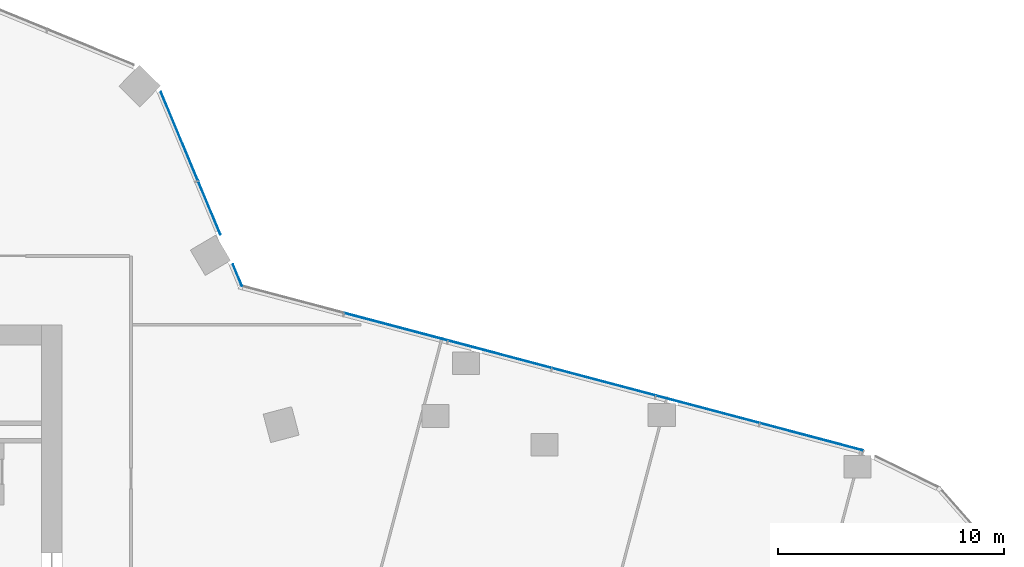
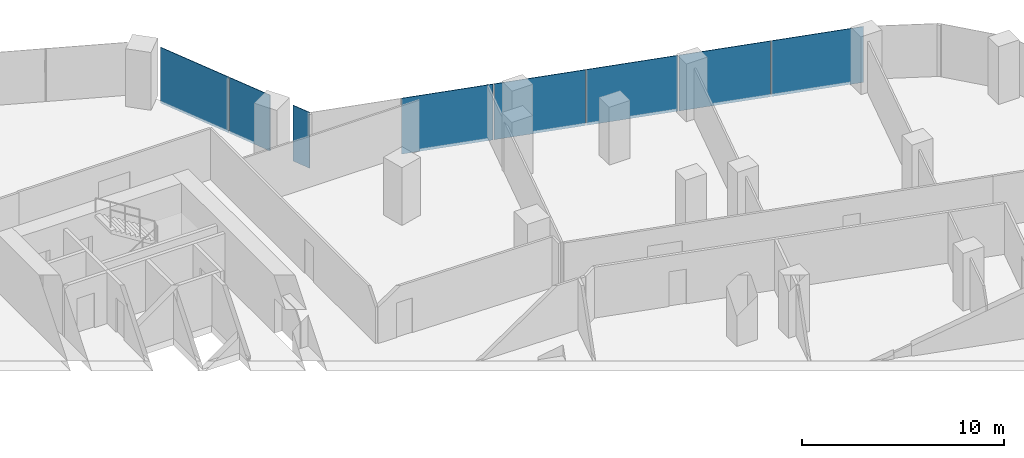
# One storey, part 25 of 34: 8 plates, 2 elements without a shape of their own.
"""IFC4 building model written with IfcOpenShell, lengths in metres."""

import ifcopenshell
import ifcopenshell.guid

model = None  # the IFC model being written
_history = None  # IfcOwnerHistory: only IFC2X3 demands one
_inside = {}  # id of a spatial element -> (the spatial element, [elements in it])
_under = {}  # id of a project, library or spatial element -> (it, [spatial elements below it])
_declared = {}  # id of a project -> (the project, [libraries it declares])
_typed = {}  # id of a type object -> (the type object, [elements of that type])
_made_of = {}  # id of a material, layer set ... -> (it, [elements and type objects made of it])


def new_model(schema):
    """Start an empty IFC model of exactly this schema.

    Asked for "IFC4X3", IfcOpenShell would pick the latest addendum, in which some entities
    have other attributes; the version numbers below select the first issue.
    IFC2X3 requires an IfcOwnerHistory on every rooted entity: one is made here for all.
    """
    global model, _history
    if schema == "IFC4X3":
        model = ifcopenshell.file(schema_version=(4, 3, 0, 0))
    else:
        model = ifcopenshell.file(schema=schema)
    _inside.clear()
    _under.clear()
    _declared.clear()
    _typed.clear()
    _made_of.clear()
    _history = None
    if model.schema == "IFC2X3":
        org = make("IfcOrganization", Name="unknown")
        user = make(
            "IfcPersonAndOrganization",
            ThePerson=make("IfcPerson", FamilyName="unknown"),
            TheOrganization=org,
        )
        app = make(
            "IfcApplication",
            ApplicationDeveloper=org,
            Version="unknown",
            ApplicationFullName="unknown",
            ApplicationIdentifier="unknown",
        )
        _history = make(
            "IfcOwnerHistory",
            OwningUser=user,
            OwningApplication=app,
            ChangeAction="ADDED",
            CreationDate=0,
        )
    return model


def make(cls, **values):
    """One entity of the class cls with the attributes given. An attribute that is None is left unset."""
    return model.create_entity(
        cls, **{name: value for name, value in values.items() if value is not None}
    )


def rooted(cls, **values):
    """An entity with a GlobalId (a new one), such as an element, a storey or a relation."""
    return make(cls, GlobalId=ifcopenshell.guid.new(), OwnerHistory=_history, **values)


def si_unit(unit_type, name, prefix=None):
    """IfcSIUnit, for example si_unit("LENGTHUNIT", "METRE", prefix="MILLI")."""
    return make("IfcSIUnit", UnitType=unit_type, Prefix=prefix, Name=name)


def assignment(units):
    """IfcUnitAssignment: the units of a project."""
    return None if units is None else make("IfcUnitAssignment", Units=units)


def point(xyz):
    """IfcCartesianPoint."""
    return None if xyz is None else make("IfcCartesianPoint", Coordinates=xyz)


def direction(xyz):
    """IfcDirection."""
    return None if xyz is None else make("IfcDirection", DirectionRatios=xyz)


def frame(location, z_axis=None, x_axis=None):
    """IfcAxis2Placement3D, a coordinate frame: its origin and axes. An axis left out is left unset."""
    return make(
        "IfcAxis2Placement3D",
        Location=point(location),
        Axis=direction(z_axis),
        RefDirection=direction(x_axis),
    )


def frame_2d(location, x_axis=None):
    """IfcAxis2Placement2D, a coordinate frame in the plane: its origin and x axis."""
    return make(
        "IfcAxis2Placement2D", Location=point(location), RefDirection=direction(x_axis)
    )


def origin():
    """The frame at (0, 0, 0) with its axes left unset."""
    return frame((0.0, 0.0, 0.0))


def origin_2d():
    """The frame at (0, 0) in the plane with its x axis left unset."""
    return frame_2d((0.0, 0.0))


def place(relative_to, where):
    """IfcLocalPlacement: puts the frame where relative to a parent placement (None: the world)."""
    return make(
        "IfcLocalPlacement", PlacementRelTo=relative_to, RelativePlacement=where
    )


def context(
    kind, dimensions, precision=None, world=None, true_north=None, identifier=None
):
    """IfcGeometricRepresentationContext, for example the 3D "Model" context."""
    return make(
        "IfcGeometricRepresentationContext",
        ContextIdentifier=identifier,
        ContextType=kind,
        CoordinateSpaceDimension=dimensions,
        Precision=precision,
        WorldCoordinateSystem=world,
        TrueNorth=true_north,
    )


def subcontext(parent, identifier, kind, view, scale=None):
    """IfcGeometricRepresentationSubContext, for example "Body" below "Model"."""
    return make(
        "IfcGeometricRepresentationSubContext",
        ContextIdentifier=identifier,
        ContextType=kind,
        ParentContext=parent,
        TargetScale=scale,
        TargetView=view,
    )


def project(units=None, contexts=None):
    """IfcProject with its units and contexts."""
    return rooted(
        "IfcProject",
        Name="project",
        RepresentationContexts=contexts,
        UnitsInContext=assignment(units),
    )


def spatial(cls, under=None, at=None, **own):
    """A site, building, storey or space (cls), placed at a placement, below another one or the project."""
    s = rooted(cls, ObjectPlacement=at, **own)
    if under is not None:
        _under.setdefault(under.id(), (under, []))[1].append(s)
    return s


def profile(cls, at=None, kind="AREA", **sizes):
    """A parametric profile (cls). Its sizes go by their IFC names, for example OverallWidth=200.0."""
    return make(cls, ProfileType=kind, Position=at, **sizes)


def rectangle(**sizes):
    """IfcRectangleProfileDef."""
    return profile("IfcRectangleProfileDef", **sizes)


def extrude(swept, where, along, depth):
    """IfcExtrudedAreaSolid: the profile swept, set in the frame where, extruded along a direction by depth."""
    return make(
        "IfcExtrudedAreaSolid",
        SweptArea=swept,
        Position=where,
        ExtrudedDirection=direction(along),
        Depth=depth,
    )


def shape(context_of_items, identifier, shape_type, items):
    """IfcShapeRepresentation: the items that make up one representation, for example the "Body"."""
    return make(
        "IfcShapeRepresentation",
        ContextOfItems=context_of_items,
        RepresentationIdentifier=identifier,
        RepresentationType=shape_type,
        Items=items,
    )


def material(Name=None, Category=None):
    """IfcMaterial."""
    return make("IfcMaterial", Name=Name, Category=Category)


def layer(
    of_material, thickness, ventilated=None, Name=None, Category=None, Priority=None
):
    """IfcMaterialLayer: one layer of a wall or slab, of a material (None: an air gap)."""
    return make(
        "IfcMaterialLayer",
        Material=of_material,
        LayerThickness=thickness,
        IsVentilated=ventilated,
        Name=Name,
        Category=Category,
        Priority=Priority,
    )


def layer_set(layers, Name=None):
    """IfcMaterialLayerSet."""
    return make("IfcMaterialLayerSet", MaterialLayers=layers, LayerSetName=Name)


def made_of(thing, what):
    """Note that an element or type object is made of a material, layer set ...; save() writes the relation."""
    if what is not None:
        _made_of.setdefault(what.id(), (what, []))[1].append(thing)
    return thing


def type_object(cls, material=None, **own):
    """A type object (cls), such as IfcWallType, which elements share."""
    return made_of(rooted(cls, **own), material)


def element(
    cls,
    number,
    at=None,
    inside=None,
    cuts=None,
    type_object=None,
    material=None,
    context=None,
    identifier="Body",
    shape_type=None,
    held_by="IfcProductDefinitionShape",
    body=None,
    shapes=None,
    **own,
):
    """One element of the class cls, such as IfcWall. Its Tag is "e" and its number.

    at: its placement. inside: the storey or other place that contains it. cuts: it is an
    opening in that element (IfcRelVoidsElement). A single representation is given by context,
    identifier, shape_type and body (its items); several are given by shapes. held_by: the class
    of the entity that holds the representations. save() writes the other relations.
    """
    e = rooted(cls, Tag="e%d" % number, ObjectPlacement=at, **own)
    if body is not None:
        shapes = [shape(context, identifier, shape_type, body)]
    if shapes is not None:
        e.Representation = make(held_by, Representations=shapes)
    if inside is not None:
        _inside.setdefault(inside.id(), (inside, []))[1].append(e)
    if cuts is not None:
        rooted(
            "IfcRelVoidsElement", RelatingBuildingElement=cuts, RelatedOpeningElement=e
        )
    if type_object is not None:
        _typed.setdefault(type_object.id(), (type_object, []))[1].append(e)
    return made_of(e, material)


def aggregate(whole, parts):
    """IfcRelAggregates: a whole, such as a stair, and the parts it consists of."""
    return rooted("IfcRelAggregates", RelatingObject=whole, RelatedObjects=parts)


def save(model, path):
    """Write the relations noted so far, then the file.

    IfcRelAggregates (storeys below a building ...), IfcRelContainedInSpatialStructure (elements
    in a storey), IfcRelDefinesByType, IfcRelAssociatesMaterial and IfcRelDeclares: one each for
    every whole, place, type object, material and project.
    """
    for whole, parts in _under.values():
        aggregate(whole, parts)
    for where, things in _inside.values():
        rooted(
            "IfcRelContainedInSpatialStructure",
            RelatedElements=things,
            RelatingStructure=where,
        )
    for kind, things in _typed.values():
        rooted("IfcRelDefinesByType", RelatedObjects=things, RelatingType=kind)
    for what, things in _made_of.values():
        rooted("IfcRelAssociatesMaterial", RelatedObjects=things, RelatingMaterial=what)
    for by, libraries in _declared.values():
        rooted("IfcRelDeclares", RelatingContext=by, RelatedDefinitions=libraries)
    model.write(path)


model = new_model("IFC4")

# Units and contexts
model_context = context("Model", 3, precision=1e-05, world=origin(), true_north=direction((0.0, 1.0)))
body_context = subcontext(model_context, "Body", "Model", "MODEL_VIEW")
ifc_project = project(units=[si_unit("LENGTHUNIT", "METRE"), si_unit("AREAUNIT", "SQUARE_METRE"), si_unit("VOLUMEUNIT", "CUBIC_METRE"), si_unit("PLANEANGLEUNIT", "RADIAN"), si_unit("MASSUNIT", "GRAM", prefix="KILO")], contexts=[model_context])

# Site, building, storey
site_placement = place(None, origin())
site = spatial("IfcSite", under=ifc_project, at=site_placement, CompositionType="ELEMENT")
building_placement = place(site_placement, origin())
building = spatial("IfcBuilding", under=site, at=building_placement, Name="Orlundy Tower", CompositionType="ELEMENT")
storey_placement = place(building_placement, frame((0.0, 0.0, 105.699951171875)))
storey = spatial("IfcBuildingStorey", under=building, at=storey_placement, Name="L26", CompositionType="ELEMENT", Elevation=105.699951171875)

# Curtain wall, plates
ifc_material_1 = material(Name="Aluminium bronze anodised", Category="aluminium")
curtain_wall_type = type_object("IfcCurtainWallType", Name="CW1 wall", PredefinedType="NOTDEFINED", material=ifc_material_1)
curtain_wall_1_placement = place(storey_placement, origin())
curtain_wall_1 = element("IfcCurtainWall", 1, at=curtain_wall_1_placement, inside=storey, type_object=curtain_wall_type, Name="CW1 run 017", PredefinedType="NOTDEFINED")
ifc_material_2 = material(Name="Tinted glass", Category="glass")
ifc_layer = layer(ifc_material_2, 0.031982421875)
ifc_layer_set = layer_set([ifc_layer], Name="CW1 glass panel 32")
plate_type = type_object("IfcPlateType", Name="CW1 glass panel 32", PredefinedType="CURTAIN_PANEL", material=ifc_layer_set)
plate_1_placement = place(storey_placement, frame((24.19091796875, 20.347900390625, -0.27978515625), z_axis=(0.0, 0.0, 1.0), x_axis=(0.385378258299, -0.922758688949, 0.0)))
plate_1 = element("IfcPlate", 2, at=plate_1_placement, type_object=plate_type, Name="CW1 panel", PredefinedType="CURTAIN_PANEL", context=body_context, shape_type="SweptSolid", body=[
    extrude(rectangle(XDim=4.240966796875, YDim=0.031982421875, at=origin_2d()), origin(), (0.0, 0.0, 1.0), 3.3798828125),
])
plate_2_placement = place(storey_placement, frame((25.51708984375, 17.172607421875, -0.27978515625), z_axis=(0.0, 0.0, 1.0), x_axis=(0.385378258299, -0.922758688949, 0.0)))
plate_2 = element("IfcPlate", 3, at=plate_2_placement, type_object=plate_type, Name="CW1 panel", PredefinedType="CURTAIN_PANEL", context=body_context, shape_type="SweptSolid", body=[
    extrude(rectangle(XDim=2.541259765625, YDim=0.031982421875, at=origin_2d()), origin(), (0.0, 0.0, 1.0), 3.3798828125),
])
plate_3_placement = place(storey_placement, frame((26.759521484375, 14.19775390625, -0.27978515625), z_axis=(0.0, 0.0, 1.0), x_axis=(0.385378258299, -0.922758688949, 0.0)))
plate_3 = element("IfcPlate", 4, at=plate_3_placement, type_object=plate_type, Name="CW1 panel", PredefinedType="CURTAIN_PANEL", context=body_context, shape_type="SweptSolid", body=[
    extrude(rectangle(XDim=1.0361328125, YDim=0.031982421875, at=origin_2d()), origin(), (0.0, 0.0, 1.0), 3.3798828125),
])
aggregate(curtain_wall_1, [plate_1, plate_2, plate_3])

curtain_wall_2_placement = place(storey_placement, origin())
curtain_wall_2 = element("IfcCurtainWall", 5, at=curtain_wall_2_placement, inside=storey, type_object=curtain_wall_type, Name="CW1 run 018", PredefinedType="NOTDEFINED")
plate_4_placement = place(storey_placement, frame((33.7763671875, 11.914306640625, -0.27978515625), z_axis=(0.0, 0.0, 1.0), x_axis=(0.966671560598, -0.256019713949, 0.0)))
plate_4 = element("IfcPlate", 6, at=plate_4_placement, type_object=plate_type, Name="CW1 panel", PredefinedType="CURTAIN_PANEL", context=body_context, shape_type="SweptSolid", body=[
    extrude(rectangle(XDim=4.70556640625, YDim=0.031982421875, at=origin_2d()), origin(), (0.0, 0.0, 1.0), 3.3798828125),
])
plate_5_placement = place(storey_placement, frame((38.37353515625, 10.69677734375, -0.27978515625), z_axis=(0.0, 0.0, 1.0), x_axis=(0.966671560598, -0.256019713949, 0.0)))
plate_5 = element("IfcPlate", 7, at=plate_5_placement, type_object=plate_type, Name="CW1 panel", PredefinedType="CURTAIN_PANEL", context=body_context, shape_type="SweptSolid", body=[
    extrude(rectangle(XDim=4.70556640625, YDim=0.031982421875, at=origin_2d()), origin(), (0.0, 0.0, 1.0), 3.3798828125),
])
plate_6_placement = place(storey_placement, frame((42.970458984375, 9.479248046875, -0.27978515625), z_axis=(0.0, 0.0, 1.0), x_axis=(0.966671560598, -0.256019713949, 0.0)))
plate_6 = element("IfcPlate", 8, at=plate_6_placement, type_object=plate_type, Name="CW1 panel", PredefinedType="CURTAIN_PANEL", context=body_context, shape_type="SweptSolid", body=[
    extrude(rectangle(XDim=4.70556640625, YDim=0.031982421875, at=origin_2d()), origin(), (0.0, 0.0, 1.0), 3.3798828125),
])
plate_7_placement = place(storey_placement, frame((47.5673828125, 8.26171875, -0.27978515625), z_axis=(0.0, 0.0, 1.0), x_axis=(0.966671560598, -0.256019713949, 0.0)))
plate_7 = element("IfcPlate", 9, at=plate_7_placement, type_object=plate_type, Name="CW1 panel", PredefinedType="CURTAIN_PANEL", context=body_context, shape_type="SweptSolid", body=[
    extrude(rectangle(XDim=4.70556640625, YDim=0.031982421875, at=origin_2d()), origin(), (0.0, 0.0, 1.0), 3.3798828125),
])
plate_8_placement = place(storey_placement, frame((52.172119140625, 7.042236328125, -0.27978515625), z_axis=(0.0, 0.0, 1.0), x_axis=(0.966671560598, -0.256019713949, 0.0)))
plate_8 = element("IfcPlate", 10, at=plate_8_placement, type_object=plate_type, Name="CW1 panel", PredefinedType="CURTAIN_PANEL", context=body_context, shape_type="SweptSolid", body=[
    extrude(rectangle(XDim=4.721435546875, YDim=0.031982421875, at=origin_2d()), origin(), (0.0, 0.0, 1.0), 3.3798828125),
])
aggregate(curtain_wall_2, [plate_4, plate_5, plate_6, plate_7, plate_8])

save(model, "model.ifc")
